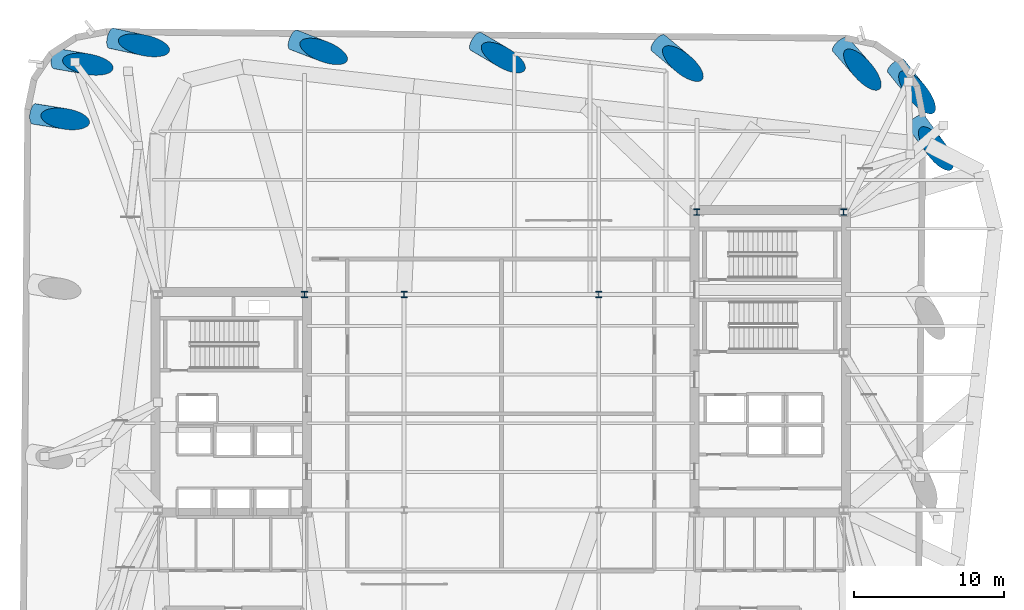
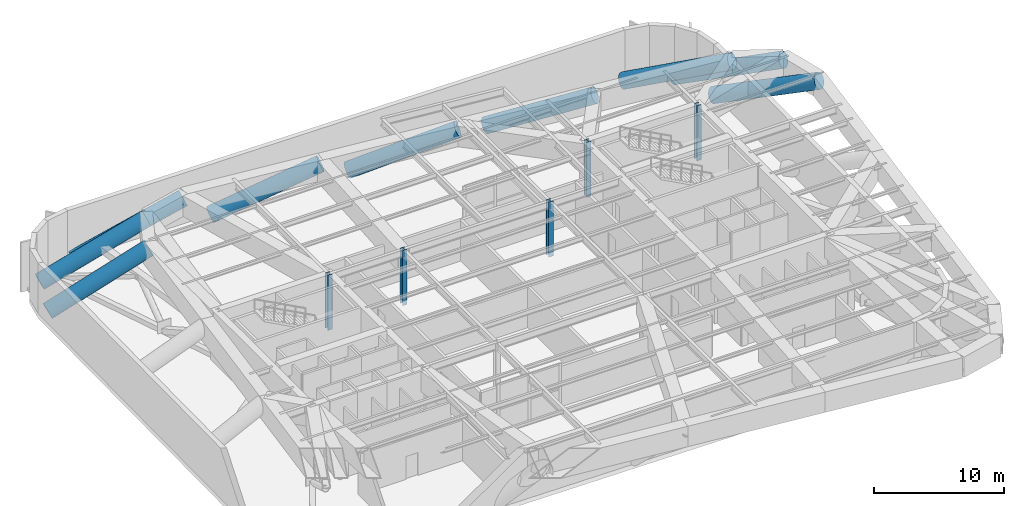
# One storey, part 2 of 13: 14 columns.
"""IFC4 building model written with IfcOpenShell, lengths in metres."""

from ifc_helpers import new_model, si_unit, direction, frame, origin, origin_2d, place, context, subcontext, project, spatial, circle, i_section, extrude, material, material_profile, profile_set, type_object, element, save


model = new_model("IFC4")

# Units and contexts
model_context = context("Model", 3, precision=1e-05, world=origin(), true_north=direction((0.0, 1.0)))
body_context = subcontext(model_context, "Body", "Model", "MODEL_VIEW")
ifc_project = project(units=[si_unit("LENGTHUNIT", "METRE"), si_unit("AREAUNIT", "SQUARE_METRE"), si_unit("VOLUMEUNIT", "CUBIC_METRE"), si_unit("PLANEANGLEUNIT", "RADIAN"), si_unit("MASSUNIT", "GRAM", prefix="KILO")], contexts=[model_context])

# Site, building, storey
site_placement = place(None, origin())
site = spatial("IfcSite", under=ifc_project, at=site_placement, CompositionType="ELEMENT")
building_placement = place(site_placement, origin())
building = spatial("IfcBuilding", under=site, at=building_placement, Name="Kolvaren Arena Tower", CompositionType="ELEMENT")
storey_placement = place(building_placement, frame((0.0, 0.0, 210.949951171875)))
storey = spatial("IfcBuildingStorey", under=building, at=storey_placement, Name="L51", CompositionType="ELEMENT", Elevation=210.949951171875)

# Columns
ifc_material_1 = material(Name="Steel ASTM A913 Grade 65", Category="steel")
ifc_material_profile_1 = material_profile(ifc_material_1, i_section(OverallWidth=0.406005859375, OverallDepth=0.416015625, WebThickness=0.02978515625, FlangeThickness=0.048095703125, FilletRadius=0.02001953125, at=origin_2d()), Name="W360x382")
ifc_profile_set_1 = profile_set([ifc_material_profile_1], Name="Steel ASTM A913 Grade 65")
column_type_1 = type_object("IfcColumnType", Name="SCOL-Z3", PredefinedType="COLUMN", material=ifc_profile_set_1)
for number, where, z_axis, x_axis, name in (
    (1, (24.35009765625, 33.85009765625, -0.419921875), (0.0, 0.0, 1.0), (1.0, 0.0, 0.0), "Core Boundary Column WC-NE (L51)"),
    (2, (50.550048828125, 39.35009765625, -0.419921875), (0.0, 0.0, 1.0), (1.0, 0.0, 0.0), "Core Boundary Column EC-NW (L51)"),
    (3, (60.35009765625, 39.35009765625, -0.419921875), (0.0, 0.0, 1.0), (1.0, 0.0, 0.0), "Core Boundary Column EC-NE (L51)"),
    (4, (31.0, 33.85009765625, -0.419921875), (0.0, 0.0, 1.0), (1.0, 0.0, 0.0), "Interior Gravity Column TC-NW (L51)"),
    (5, (44.0, 33.85009765625, -0.419921875), (0.0, 0.0, 1.0), (1.0, 0.0, 0.0), "Interior Gravity Column TC-NE (L51)"),
):
    element("IfcColumn", number, at=place(storey_placement, frame(where, z_axis=z_axis, x_axis=x_axis)), inside=storey, type_object=column_type_1, Name=name, PredefinedType="COLUMN", context=body_context, shape_type="SweptSolid", body=[
        extrude(i_section(OverallWidth=0.406005859375, OverallDepth=0.416015625, WebThickness=0.02978515625, FlangeThickness=0.048095703125, FilletRadius=0.02001953125, at=origin_2d()), origin(), (0.0, 0.0, 1.0), 5.169921875),
    ])
ifc_material_2 = material(Name="Concrete 80 MPa", Category="concrete")
ifc_material_profile_2 = material_profile(ifc_material_2, circle(Radius=0.68994140625, at=origin_2d()), Name="RC-CIRC-1380")
ifc_profile_set_2 = profile_set([ifc_material_profile_2], Name="Concrete 80 MPa")
column_type_2 = type_object("IfcColumnType", Name="TRCOL-C900", PredefinedType="COLUMN", material=ifc_profile_set_2)
column_1_placement = place(storey_placement, frame((65.19775390625, 45.392333984375, 0.239013671875), z_axis=(0.543812673786, -0.739680708197, 0.396409164564), x_axis=(0.805687504473, 0.592340818394, 0.0)))
element("IfcColumn", 6, at=column_1_placement, inside=storey, type_object=column_type_2, Name="Cantilever Block Inclined Transfer Column 10 (L51)", PredefinedType="COLUMN", context=body_context, shape_type="SweptSolid", body=[
    extrude(circle(Radius=0.68994140625, at=origin_2d()), origin(), (0.0, 0.0, 1.0), 9.71728515625),
])
column_2_placement = place(storey_placement, frame((63.8388671875, 49.113037109375, 0.241455078125), z_axis=(0.576807003948, -0.717432992748, 0.390619483786), x_axis=(0.779350660208, 0.626588021297, 0.0)))
element("IfcColumn", 7, at=column_2_placement, inside=storey, type_object=column_type_2, Name="Cantilever Block Inclined Transfer Column 11 (L51)", PredefinedType="COLUMN", context=body_context, shape_type="SweptSolid", body=[
    extrude(circle(Radius=0.68994140625, at=origin_2d()), origin(), (0.0, 0.0, 1.0), 9.848876953125),
])
column_3_placement = place(storey_placement, frame((60.142333984375, 50.53662109375, 0.238525390625), z_axis=(0.604043800873, -0.690537448082, 0.397855651491), x_axis=(0.752672008054, 0.658395662419, 0.0)))
element("IfcColumn", 8, at=column_3_placement, inside=storey, type_object=column_type_2, Name="Cantilever Block Inclined Transfer Column 12 (L51)", PredefinedType="COLUMN", context=body_context, shape_type="SweptSolid", body=[
    extrude(circle(Radius=0.68994140625, at=origin_2d()), origin(), (0.0, 0.0, 1.0), 9.6845703125),
])
column_4_placement = place(storey_placement, frame((47.9677734375, 50.642822265625, 0.232666015625), z_axis=(0.699651944389, -0.584203916872, 0.411330694484), x_axis=(0.640935571465, 0.767594680304, 0.0)))
element("IfcColumn", 9, at=column_4_placement, inside=storey, type_object=column_type_2, Name="Cantilever Block Inclined Transfer Column 13 (L51)", PredefinedType="COLUMN", context=body_context, shape_type="SweptSolid", body=[
    extrude(circle(Radius=0.68994140625, at=origin_2d()), origin(), (0.0, 0.0, 1.0), 9.395751953125),
])
column_5_placement = place(storey_placement, frame((35.793212890625, 50.749267578125, 0.23095703125), z_axis=(0.784051398439, -0.461013828289, 0.415607572997), x_axis=(0.506862573239, 0.862026874204, 0.0)))
element("IfcColumn", 10, at=column_5_placement, inside=storey, type_object=column_type_2, Name="Cantilever Block Inclined Transfer Column 14 (L51)", PredefinedType="COLUMN", context=body_context, shape_type="SweptSolid", body=[
    extrude(circle(Radius=0.68994140625, at=origin_2d()), origin(), (0.0, 0.0, 1.0), 9.307373046875),
])
column_6_placement = place(storey_placement, frame((23.618896484375, 50.85546875, 0.2333984375), z_axis=(0.851060829698, -0.328114219979, 0.409922581473), x_axis=(0.359726905511, 0.933057636725, 0.0)))
element("IfcColumn", 11, at=column_6_placement, inside=storey, type_object=column_type_2, Name="Cantilever Block Inclined Transfer Column 15 (L51)", PredefinedType="COLUMN", context=body_context, shape_type="SweptSolid", body=[
    extrude(circle(Radius=0.68994140625, at=origin_2d()), origin(), (0.0, 0.0, 1.0), 9.42431640625),
])
column_7_placement = place(storey_placement, frame((11.444091796875, 50.961669921875, 0.239501953125), z_axis=(0.897719822781, -0.194416568913, 0.395349614288), x_axis=(0.211660388495, 0.977343276409, 0.0)))
element("IfcColumn", 12, at=column_7_placement, inside=storey, type_object=column_type_2, Name="Cantilever Block Inclined Transfer Column 16 (L51)", PredefinedType="COLUMN", context=body_context, shape_type="SweptSolid", body=[
    extrude(circle(Radius=0.68994140625, at=origin_2d()), origin(), (0.0, 0.0, 1.0), 9.740966796875),
])
column_8_placement = place(storey_placement, frame((7.723388671875, 49.602783203125, 0.236083984375), z_axis=(0.901549897114, -0.156550454968, 0.40336055591), x_axis=(0.171085703747, 0.985256150437, 0.0)))
element("IfcColumn", 13, at=column_8_placement, inside=storey, type_object=column_type_2, Name="Cantilever Block Inclined Transfer Column 17 (L51)", PredefinedType="COLUMN", context=body_context, shape_type="SweptSolid", body=[
    extrude(circle(Radius=0.68994140625, at=origin_2d()), origin(), (0.0, 0.0, 1.0), 9.564453125),
])
column_9_placement = place(storey_placement, frame((6.2998046875, 45.90625, 0.228759765625), z_axis=(0.895646616078, -0.144310262018, 0.42070380006), x_axis=(0.159072499197, 0.987266904134, 0.0)))
element("IfcColumn", 14, at=column_9_placement, inside=storey, type_object=column_type_2, Name="Cantilever Block Inclined Transfer Column 18 (L51)", PredefinedType="COLUMN", context=body_context, shape_type="SweptSolid", body=[
    extrude(circle(Radius=0.68994140625, at=origin_2d()), origin(), (0.0, 0.0, 1.0), 9.204833984375),
])

save(model, "model.ifc")
